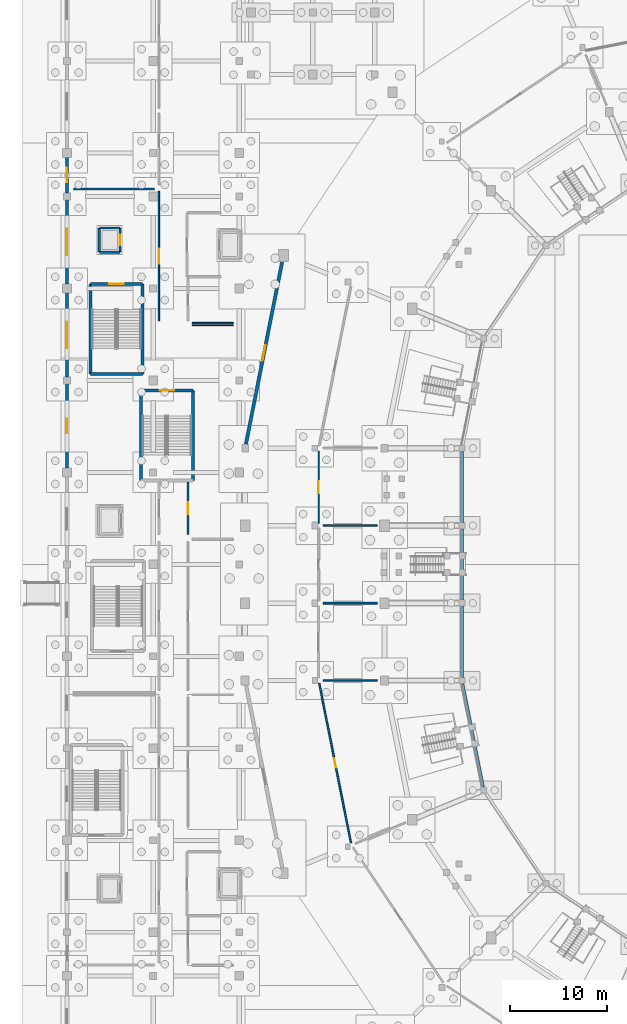
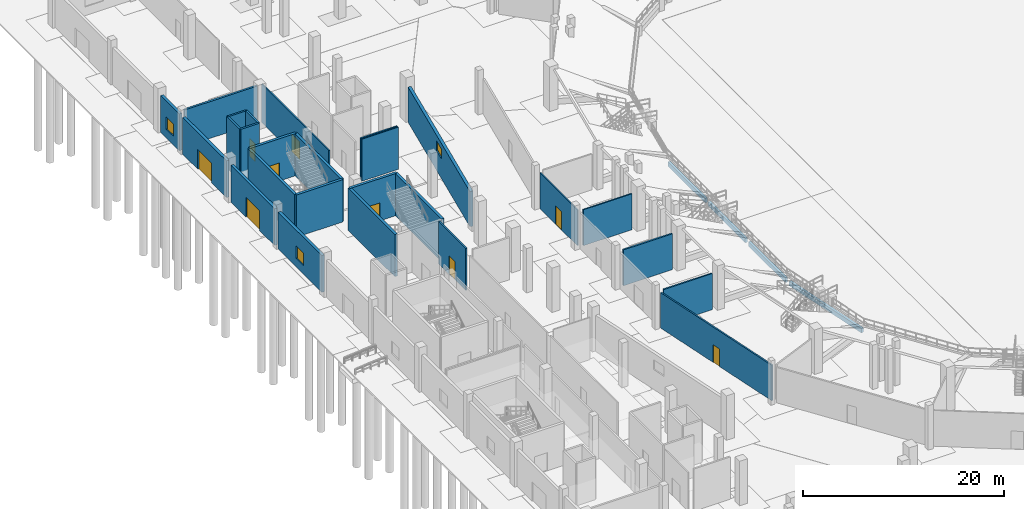
# One storey, part 29 of 68: 30 walls, 9 doors, 3 windows, 12 openings.
"""IFC4 building model written with IfcOpenShell, lengths in metres."""

from ifc_helpers import new_model, si_unit, direction, frame, frame_2d, origin, place, context, subcontext, project, spatial, rectangle, extrude, material, layer, layer_set, type_object, element, fill, save


model = new_model("IFC4")

# Units and contexts
model_context = context("Model", 3, precision=1e-05, world=origin(), true_north=direction((0.0, 1.0)))
body_context = subcontext(model_context, "Body", "Model", "MODEL_VIEW")
ifc_project = project(units=[si_unit("LENGTHUNIT", "METRE"), si_unit("AREAUNIT", "SQUARE_METRE"), si_unit("VOLUMEUNIT", "CUBIC_METRE"), si_unit("PLANEANGLEUNIT", "RADIAN"), si_unit("MASSUNIT", "GRAM", prefix="KILO")], contexts=[model_context])

# Site, building, storey
site_placement = place(None, origin())
site = spatial("IfcSite", under=ifc_project, at=site_placement, CompositionType="ELEMENT")
building_placement = place(site_placement, origin())
building = spatial("IfcBuilding", under=site, at=building_placement, Name="Candeia Ridge Stadium", CompositionType="ELEMENT")
storey_placement = place(building_placement, origin())
storey = spatial("IfcBuildingStorey", under=building, at=storey_placement, Name="L00", CompositionType="ELEMENT", Elevation=0.0)

# Wall, opening, door
ifc_material_1 = material(Name="Gypsum Metal-Stud Partition", Category="gypsum")
ifc_layer_1 = layer(ifc_material_1, 0.14501953125, Name="Gypsum Metal-Stud Partition", Category="gypsum")
ifc_layer_set_1 = layer_set([ifc_layer_1], Name="Gypsum Metal-Stud Partition")
wall_type_1 = type_object("IfcWallType", Name="Athlete Recovery Partition 145", PredefinedType="PARTITIONING", material=ifc_layer_set_1)
wall_1_placement = place(storey_placement, frame((10.10009765625, 121.531982421875, 0.0), z_axis=(0.0, 0.0, 1.0), x_axis=(0.0, -1.0, 0.0)))
wall_1 = element("IfcWall", 1, at=wall_1_placement, inside=storey, type_object=wall_type_1, Name="Interior partition PT-L00-0016", PredefinedType="PARTITIONING", context=body_context, shape_type="SweptSolid", body=[
    extrude(rectangle(XDim=13.365966796875, YDim=0.14501953125, at=frame_2d((6.68310546875, 0.0))), origin(), (0.0, 0.0, 1.0), 4.66796875),
])
opening_1_placement = place(wall_1_placement, frame((5.907958984375, 0.0, 0.0)))
opening_1 = element("IfcOpeningElement", 2, at=opening_1_placement, cuts=wall_1, Name="Opening ID14", PredefinedType="OPENING", context=body_context, shape_type="SweptSolid", body=[
    extrude(rectangle(XDim=1.550048828125, YDim=2.14990234375, at=frame_2d((0.77490234375, 1.074951171875))), frame((0.0, 0.08251953125, 0.0), z_axis=(0.0, -1.0, 0.0), x_axis=(1.0, 0.0, 0.0)), (0.0, 0.0, 1.0), 0.1650390625),
])
ifc_material_2 = material(Name="Brushed Stainless Steel", Category="steel")
door_type_1 = type_object("IfcDoorType", Name="Catering Kitchen Double Door 1550x2150", OperationType="NOTDEFINED", PredefinedType="DOOR", material=ifc_material_2)
door_1_placement = place(opening_1_placement, origin())
door_1 = element("IfcDoor", 3, at=door_1_placement, inside=storey, type_object=door_type_1, Name="Interior room door D-L00-0009", OperationType="DOUBLE_DOOR_SINGLE_SWING", OverallHeight=2.14990234375, OverallWidth=1.550048828125, PredefinedType="DOOR", context=body_context, shape_type="SweptSolid", body=[
    extrude(rectangle(XDim=1.550048828125, YDim=2.14990234375, at=frame_2d((0.77490234375, 1.074951171875))), frame((0.0, 0.02490234375, 0.0), z_axis=(0.0, -1.0, 0.0), x_axis=(1.0, 0.0, 0.0)), (0.0, 0.0, 1.0), 0.050048828125),
])
fill(opening_1, door_1)

# Walls
wall_2_placement = place(storey_placement, frame((32.64990234375, 87.0, 0.0), z_axis=(0.0, 0.0, 1.0), x_axis=(-1.0, 0.0, 0.0)))
element("IfcWall", 4, at=wall_2_placement, inside=storey, type_object=wall_type_1, Name="Demising partition PT-L00-0133", PredefinedType="PARTITIONING", context=body_context, shape_type="SweptSolid", body=[
    extrude(rectangle(XDim=5.599853515625, YDim=0.14501953125, at=frame_2d((2.7998046875, 0.0))), origin(), (0.0, 0.0, 1.0), 4.375),
])
ifc_material_3 = material(Name="Gypsum Acoustic Twin-Stud Assembly", Category="gypsum")
ifc_layer_2 = layer(ifc_material_3, 0.159912109375, Name="Gypsum Acoustic Twin-Stud Assembly", Category="gypsum")
ifc_layer_set_2 = layer_set([ifc_layer_2], Name="Gypsum Acoustic Twin-Stud Assembly")
wall_type_2 = type_object("IfcWallType", Name="Club Dining Acoustic Partition 160", PredefinedType="PARTITIONING", material=ifc_layer_set_2)
wall_3_placement = place(storey_placement, frame((17.75, 107.916015625, 0.0), z_axis=(0.0, 0.0, 1.0), x_axis=(-1.0, 0.0, 0.0)))
element("IfcWall", 5, at=wall_3_placement, inside=storey, type_object=wall_type_2, Name="Demising partition PT-L00-0019", PredefinedType="PARTITIONING", context=body_context, shape_type="SweptSolid", body=[
    extrude(rectangle(XDim=4.199951171875, YDim=0.159912109375, at=frame_2d((2.10009765625, 0.0))), origin(), (0.0, 0.0, 1.0), 5.1201171875),
])
ifc_material_4 = material(Name="Concrete C45/55", Category="concrete")
ifc_layer_3 = layer(ifc_material_4, 0.300048828125, Name="Concrete C45/55", Category="concrete")
ifc_layer_set_3 = layer_set([ifc_layer_3], Name="Concrete C45/55")
wall_type_3 = type_object("IfcWallType", Name="Core Shear Wall Concrete 300", PredefinedType="SHEAR", material=ifc_layer_set_3)
wall_4_placement = place(storey_placement, frame((3.05029296875, 111.94970703125, 0.0), z_axis=(0.0, 0.0, 1.0), x_axis=(0.0, -1.0, 0.0)))
element("IfcWall", 6, at=wall_4_placement, inside=storey, type_object=wall_type_3, Name="Core C06 left shear wall L00", PredefinedType="SHEAR", context=body_context, shape_type="SweptSolid", body=[
    extrude(rectangle(XDim=9.29931640625, YDim=0.300048828125, at=frame_2d((4.649658203125, 0.0))), origin(), (0.0, 0.0, 1.0), 5.139892578125),
])
wall_5_placement = place(storey_placement, frame((3.05029296875, 102.650390625, 0.0), z_axis=(0.0, 0.0, 1.0), x_axis=(1.0, 0.0, 0.0)))
element("IfcWall", 7, at=wall_5_placement, inside=storey, type_object=wall_type_3, Name="Core C06 far shear wall L00", PredefinedType="SHEAR", context=body_context, shape_type="SweptSolid", body=[
    extrude(rectangle(XDim=5.349365234375, YDim=0.300048828125, at=frame_2d((2.6748046875, 0.0))), origin(), (0.0, 0.0, 1.0), 5.139892578125),
])
wall_6_placement = place(storey_placement, frame((8.399658203125, 102.650390625, 0.0), z_axis=(0.0, 0.0, 1.0), x_axis=(0.0, 1.0, 0.0)))
element("IfcWall", 8, at=wall_6_placement, inside=storey, type_object=wall_type_3, Name="Core C06 right shear wall L00", PredefinedType="SHEAR", context=body_context, shape_type="SweptSolid", body=[
    extrude(rectangle(XDim=9.29931640625, YDim=0.300048828125, at=frame_2d((4.649658203125, 0.0))), origin(), (0.0, 0.0, 1.0), 5.139892578125),
])

# Wall, opening, door
wall_7_placement = place(storey_placement, frame((8.399658203125, 111.94970703125, 0.0), z_axis=(0.0, 0.0, 1.0), x_axis=(-1.0, 0.0, 0.0)))
wall_7 = element("IfcWall", 9, at=wall_7_placement, inside=storey, type_object=wall_type_3, Name="Core C06 near shear wall L00", PredefinedType="SHEAR", context=body_context, shape_type="SweptSolid", body=[
    extrude(rectangle(XDim=5.349365234375, YDim=0.300048828125, at=frame_2d((2.6748046875, 0.0))), origin(), (0.0, 0.0, 1.0), 5.139892578125),
])
opening_2_placement = place(wall_7_placement, frame((1.924560546875, 0.0, 0.0)))
opening_2 = element("IfcOpeningElement", 10, at=opening_2_placement, cuts=wall_7, Name="Opening FD01", PredefinedType="OPENING", context=body_context, shape_type="SweptSolid", body=[
    extrude(rectangle(XDim=1.5, YDim=2.199951171875, at=frame_2d((0.75, 1.10009765625))), frame((0.0, 0.159912109375, 0.0), z_axis=(0.0, -1.0, 0.0), x_axis=(1.0, 0.0, 0.0)), (0.0, 0.0, 1.0), 0.320068359375),
])
ifc_material_5 = material(Name="Galvanized Fire-Rated Steel", Category="steel")
door_type_2 = type_object("IfcDoorType", Name="Exit Stair Core Fire Door 1500x2200", OperationType="NOTDEFINED", PredefinedType="DOOR", material=ifc_material_5)
door_2_placement = place(opening_2_placement, frame((1.5, 0.0, 0.0), z_axis=(0.0, 0.0, 1.0), x_axis=(-1.0, 0.0, 0.0)))
door_2 = element("IfcDoor", 11, at=door_2_placement, inside=storey, type_object=door_type_2, Name="Exit stair fire door SD-ST06-L00", OperationType="DOUBLE_DOOR_SINGLE_SWING", OverallHeight=2.199951171875, OverallWidth=1.5, PredefinedType="DOOR", context=body_context, shape_type="SweptSolid", body=[
    extrude(rectangle(XDim=1.5, YDim=2.199951171875, at=frame_2d((0.75, 1.10009765625))), frame((0.0, 0.02490234375, 0.0), z_axis=(0.0, -1.0, 0.0), x_axis=(1.0, 0.0, 0.0)), (0.0, 0.0, 1.0), 0.050048828125),
])
fill(opening_2, door_2)

# Walls
for number, where, z_axis, x_axis, name in (
    (12, (8.25048828125, 100.94970703125, 0.0), (0.0, 0.0, 1.0), (0.0, -1.0, 0.0), "Core C08 left shear wall L00"),
    (13, (13.599609375, 91.650390625, 0.0), (0.0, 0.0, 1.0), (0.0, 1.0, 0.0), "Core C08 right shear wall L00"),
):
    element("IfcWall", number, at=place(storey_placement, frame(where, z_axis=z_axis, x_axis=x_axis)), inside=storey, type_object=wall_type_3, Name=name, PredefinedType="SHEAR", context=body_context, shape_type="SweptSolid", body=[
        extrude(rectangle(XDim=9.29931640625, YDim=0.300048828125, at=frame_2d((4.649658203125, 0.0))), origin(), (0.0, 0.0, 1.0), 5.139892578125),
    ])

# Wall, opening, door
wall_8_placement = place(storey_placement, frame((13.599609375, 100.94970703125, 0.0), z_axis=(0.0, 0.0, 1.0), x_axis=(-1.0, 0.0, 0.0)))
wall_8 = element("IfcWall", 14, at=wall_8_placement, inside=storey, type_object=wall_type_3, Name="Core C08 near shear wall L00", PredefinedType="SHEAR", context=body_context, shape_type="SweptSolid", body=[
    extrude(rectangle(XDim=5.34912109375, YDim=0.300048828125, at=frame_2d((2.674560546875, 0.0))), origin(), (0.0, 0.0, 1.0), 5.139892578125),
])
opening_3_placement = place(wall_8_placement, frame((1.924560546875, 0.0, 0.0)))
opening_3 = element("IfcOpeningElement", 15, at=opening_3_placement, cuts=wall_8, Name="Opening FD01", PredefinedType="OPENING", context=body_context, shape_type="SweptSolid", body=[
    extrude(rectangle(XDim=1.5, YDim=2.199951171875, at=frame_2d((0.75, 1.10009765625))), frame((0.0, 0.159912109375, 0.0), z_axis=(0.0, -1.0, 0.0), x_axis=(1.0, 0.0, 0.0)), (0.0, 0.0, 1.0), 0.320068359375),
])
door_3_placement = place(opening_3_placement, frame((1.5, 0.0, 0.0), z_axis=(0.0, 0.0, 1.0), x_axis=(-1.0, 0.0, 0.0)))
door_3 = element("IfcDoor", 16, at=door_3_placement, inside=storey, type_object=door_type_2, Name="Exit stair fire door SD-ST08-L00", OperationType="DOUBLE_DOOR_SINGLE_SWING", OverallHeight=2.199951171875, OverallWidth=1.5, PredefinedType="DOOR", context=body_context, shape_type="SweptSolid", body=[
    extrude(rectangle(XDim=1.5, YDim=2.199951171875, at=frame_2d((0.75, 1.10009765625))), frame((0.0, 0.02490234375, 0.0), z_axis=(0.0, -1.0, 0.0), x_axis=(1.0, 0.0, 0.0)), (0.0, 0.0, 1.0), 0.050048828125),
])
fill(opening_3, door_3)

# Wall
ifc_material_6 = material(Name="Moisture-Resistant Masonry & Tile", Category="masonry")
ifc_layer_4 = layer(ifc_material_6, 0.22998046875, Name="Moisture-Resistant Masonry & Tile", Category="masonry")
ifc_layer_set_4 = layer_set([ifc_layer_4], Name="Moisture-Resistant Masonry & Tile")
wall_type_4 = type_object("IfcWallType", Name="Dressing Suite Wet-Wall Chase 230", PredefinedType="PLUMBINGWALL", material=ifc_layer_set_4)
wall_9_placement = place(storey_placement, frame((1.25, 121.781982421875, 0.0), z_axis=(0.0, 0.0, 1.0), x_axis=(1.0, 0.0, 0.0)))
element("IfcWall", 17, at=wall_9_placement, inside=storey, type_object=wall_type_4, Name="Demising partition PT-L00-0017", PredefinedType="PLUMBINGWALL", context=body_context, shape_type="SweptSolid", body=[
    extrude(rectangle(XDim=8.39990234375, YDim=0.22998046875, at=frame_2d((4.199951171875, 0.0))), origin(), (0.0, 0.0, 1.0), 4.47509765625),
])

# Wall, opening, window
ifc_material_7 = material(Name="Concrete C40/50", Category="concrete")
ifc_layer_5 = layer(ifc_material_7, 0.340087890625, Name="Concrete C40/50", Category="concrete")
ifc_layer_set_5 = layer_set([ifc_layer_5], Name="Concrete C40/50")
wall_type_5 = type_object("IfcWallType", Name="Exterior Acoustic Bowl Plinth Wall 340", PredefinedType="SOLIDWALL", material=ifc_layer_set_5)
wall_10_placement = place(storey_placement, frame((22.826904296875, 114.238525390625, 0.0), z_axis=(0.0, 0.0, 1.0), x_axis=(-0.19509817024, -0.980783719262, 0.0)))
wall_10 = element("IfcWall", 18, at=wall_10_placement, inside=storey, type_object=wall_type_5, Name="Bowl plinth exterior wall EW-L00-0002", PredefinedType="SOLIDWALL", context=body_context, shape_type="SweptSolid", body=[
    extrude(rectangle(XDim=19.1884765625, YDim=0.340087890625, at=frame_2d((9.59423828125, 0.0))), origin(), (0.0, 0.0, 1.0), 4.27490234375),
])
opening_4_placement = place(wall_10_placement, frame((8.794189453125, 0.0, 2.39990234375)))
opening_4 = element("IfcOpeningElement", 19, at=opening_4_placement, cuts=wall_10, Name="Opening W15", PredefinedType="OPENING", context=body_context, shape_type="SweptSolid", body=[
    extrude(rectangle(XDim=1.60009765625, YDim=1.199951171875, at=frame_2d((0.800048828125, 0.60009765625))), frame((0.0, 0.179931640625, 0.0), z_axis=(0.0, -1.0, 0.0), x_axis=(1.0, 0.0, 0.0)), (0.0, 0.0, 1.0), 0.360107421875),
])
ifc_material_8 = material(Name="Tempered Solar-Control Double Glazing", Category="glass")
window_type_1 = type_object("IfcWindowType", Name="Plant Acoustic Louvre Window 1600x1200", PartitioningType="SINGLE_PANEL", PredefinedType="WINDOW", material=ifc_material_8)
window_1_placement = place(opening_4_placement, origin())
window_1 = element("IfcWindow", 20, at=window_1_placement, inside=storey, type_object=window_type_1, Name="Bowl plinth louvre window WIN-BWL-002", OverallHeight=1.199951171875, OverallWidth=1.60009765625, PartitioningType="SINGLE_PANEL", PredefinedType="WINDOW", context=body_context, shape_type="SweptSolid", body=[
    extrude(rectangle(XDim=1.60009765625, YDim=1.199951171875, at=frame_2d((0.800048828125, 0.60009765625))), frame((0.0, 0.030029296875, 0.0), z_axis=(0.0, -1.0, 0.0), x_axis=(1.0, 0.0, 0.0)), (0.0, 0.0, 1.0), 0.06005859375),
])
fill(opening_4, window_1)

ifc_material_9 = material(Name="Concrete C35/45", Category="concrete")
ifc_layer_6 = layer(ifc_material_9, 0.320068359375, Name="Concrete C35/45", Category="concrete")
ifc_layer_set_6 = layer_set([ifc_layer_6], Name="Concrete C35/45")
wall_type_6 = type_object("IfcWallType", Name="Exterior Cedar-Clad Insulated Wall 320", PredefinedType="SOLIDWALL", material=ifc_layer_set_6)
wall_11_placement = place(storey_placement, frame((0.60009765625, 92.93798828125, 0.0), z_axis=(0.0, 0.0, 1.0), x_axis=(0.0, 1.0, 0.0)))
wall_11 = element("IfcWall", 21, at=wall_11_placement, inside=storey, type_object=wall_type_6, Name="Exterior facade wall EW-L00-0053", PredefinedType="SOLIDWALL", context=body_context, shape_type="SweptSolid", body=[
    extrude(rectangle(XDim=8.72412109375, YDim=0.320068359375, at=frame_2d((4.362060546875, 0.0))), origin(), (0.0, 0.0, 1.0), 4.47509765625),
])
opening_5_placement = place(wall_11_placement, frame((3.612060546875, 0.0, 1.050048828125)))
opening_5 = element("IfcOpeningElement", 22, at=opening_5_placement, cuts=wall_11, Name="Opening W14", PredefinedType="OPENING", context=body_context, shape_type="SweptSolid", body=[
    extrude(rectangle(XDim=1.5, YDim=1.5, at=frame_2d((0.75, 0.75))), frame((0.0, 0.169921875, 0.0), z_axis=(0.0, -1.0, 0.0), x_axis=(1.0, 0.0, 0.0)), (0.0, 0.0, 1.0), 0.340087890625),
])
window_type_2 = type_object("IfcWindowType", Name="Medical & Admin Window 1500x1500", PartitioningType="SINGLE_PANEL", PredefinedType="WINDOW", material=ifc_material_8)
window_2_placement = place(opening_5_placement, origin())
window_2 = element("IfcWindow", 23, at=window_2_placement, inside=storey, type_object=window_type_2, Name="Exterior window WIN-L00-013", OverallHeight=1.5, OverallWidth=1.5, PartitioningType="SINGLE_PANEL", PredefinedType="WINDOW", context=body_context, shape_type="SweptSolid", body=[
    extrude(rectangle(XDim=1.5, YDim=1.5, at=frame_2d((0.75, 0.75))), frame((0.0, 0.030029296875, 0.0), z_axis=(0.0, -1.0, 0.0), x_axis=(1.0, 0.0, 0.0)), (0.0, 0.0, 1.0), 0.06005859375),
])
fill(opening_5, window_2)

# Wall, opening, door
wall_12_placement = place(storey_placement, frame((0.60009765625, 102.337890625, 0.0), z_axis=(0.0, 0.0, 1.0), x_axis=(0.0, 1.0, 0.0)))
wall_12 = element("IfcWall", 24, at=wall_12_placement, inside=storey, type_object=wall_type_6, Name="Exterior facade wall EW-L00-0054", PredefinedType="SOLIDWALL", context=body_context, shape_type="SweptSolid", body=[
    extrude(rectangle(XDim=8.72412109375, YDim=0.320068359375, at=frame_2d((4.362060546875, 0.0))), origin(), (0.0, 0.0, 1.0), 4.47509765625),
])
opening_6_placement = place(wall_12_placement, frame((2.987060546875, 0.0, 0.0)))
opening_6 = element("IfcOpeningElement", 25, at=opening_6_placement, cuts=wall_12, Name="Opening ED01", PredefinedType="OPENING", context=body_context, shape_type="SweptSolid", body=[
    extrude(rectangle(XDim=2.75, YDim=2.39990234375, at=frame_2d((1.375, 1.199951171875))), frame((0.0, 0.169921875, 0.0), z_axis=(0.0, -1.0, 0.0), x_axis=(1.0, 0.0, 0.0)), (0.0, 0.0, 1.0), 0.340087890625),
])
ifc_material_10 = material(Name="Aluminium Anodized Glazed Door", Category="aluminium")
door_type_3 = type_object("IfcDoorType", Name="Pedestrian Exit Double Door 2750x2400", OperationType="NOTDEFINED", PredefinedType="DOOR", material=ifc_material_10)
door_4_placement = place(opening_6_placement, origin())
door_4 = element("IfcDoor", 26, at=door_4_placement, inside=storey, type_object=door_type_3, Name="Pedestrian exit gate G05", OperationType="DOUBLE_DOOR_SINGLE_SWING", OverallHeight=2.39990234375, OverallWidth=2.75, PredefinedType="DOOR", context=body_context, shape_type="SweptSolid", body=[
    extrude(rectangle(XDim=2.75, YDim=2.39990234375, at=frame_2d((1.375, 1.199951171875))), frame((0.0, 0.02490234375, 0.0), z_axis=(0.0, -1.0, 0.0), x_axis=(1.0, 0.0, 0.0)), (0.0, 0.0, 1.0), 0.050048828125),
])
fill(opening_6, door_4)

wall_13_placement = place(storey_placement, frame((0.60009765625, 111.93798828125, 0.0), z_axis=(0.0, 0.0, 1.0), x_axis=(0.0, 1.0, 0.0)))
wall_13 = element("IfcWall", 27, at=wall_13_placement, inside=storey, type_object=wall_type_6, Name="Exterior facade wall EW-L00-0055", PredefinedType="SOLIDWALL", context=body_context, shape_type="SweptSolid", body=[
    extrude(rectangle(XDim=8.72412109375, YDim=0.320068359375, at=frame_2d((4.362060546875, 0.0))), origin(), (0.0, 0.0, 1.0), 4.47509765625),
])
opening_7_placement = place(wall_13_placement, frame((2.987060546875, 0.0, 0.0)))
opening_7 = element("IfcOpeningElement", 28, at=opening_7_placement, cuts=wall_13, Name="Opening ED01", PredefinedType="OPENING", context=body_context, shape_type="SweptSolid", body=[
    extrude(rectangle(XDim=2.75, YDim=2.39990234375, at=frame_2d((1.375, 1.199951171875))), frame((0.0, 0.169921875, 0.0), z_axis=(0.0, -1.0, 0.0), x_axis=(1.0, 0.0, 0.0)), (0.0, 0.0, 1.0), 0.340087890625),
])
door_5_placement = place(opening_7_placement, origin())
door_5 = element("IfcDoor", 29, at=door_5_placement, inside=storey, type_object=door_type_3, Name="Pedestrian exit gate G06", OperationType="DOUBLE_DOOR_SINGLE_SWING", OverallHeight=2.39990234375, OverallWidth=2.75, PredefinedType="DOOR", context=body_context, shape_type="SweptSolid", body=[
    extrude(rectangle(XDim=2.75, YDim=2.39990234375, at=frame_2d((1.375, 1.199951171875))), frame((0.0, 0.02490234375, 0.0), z_axis=(0.0, -1.0, 0.0), x_axis=(1.0, 0.0, 0.0)), (0.0, 0.0, 1.0), 0.050048828125),
])
fill(opening_7, door_5)

# Wall, opening, window
wall_14_placement = place(storey_placement, frame((0.60009765625, 121.337890625, 0.0), z_axis=(0.0, 0.0, 1.0), x_axis=(0.0, 1.0, 0.0)))
wall_14 = element("IfcWall", 30, at=wall_14_placement, inside=storey, type_object=wall_type_6, Name="Exterior facade wall EW-L00-0056", PredefinedType="SOLIDWALL", context=body_context, shape_type="SweptSolid", body=[
    extrude(rectangle(XDim=3.72412109375, YDim=0.320068359375, at=frame_2d((1.862060546875, 0.0))), origin(), (0.0, 0.0, 1.0), 4.47509765625),
])
opening_8_placement = place(wall_14_placement, frame((1.112060546875, 0.0, 1.050048828125)))
opening_8 = element("IfcOpeningElement", 31, at=opening_8_placement, cuts=wall_14, Name="Opening W14", PredefinedType="OPENING", context=body_context, shape_type="SweptSolid", body=[
    extrude(rectangle(XDim=1.5, YDim=1.5, at=frame_2d((0.75, 0.75))), frame((0.0, 0.169921875, 0.0), z_axis=(0.0, -1.0, 0.0), x_axis=(1.0, 0.0, 0.0)), (0.0, 0.0, 1.0), 0.340087890625),
])
window_3_placement = place(opening_8_placement, origin())
window_3 = element("IfcWindow", 32, at=window_3_placement, inside=storey, type_object=window_type_2, Name="Exterior window WIN-L00-014", OverallHeight=1.5, OverallWidth=1.5, PartitioningType="SINGLE_PANEL", PredefinedType="WINDOW", context=body_context, shape_type="SweptSolid", body=[
    extrude(rectangle(XDim=1.5, YDim=1.5, at=frame_2d((0.75, 0.75))), frame((0.0, 0.030029296875, 0.0), z_axis=(0.0, -1.0, 0.0), x_axis=(1.0, 0.0, 0.0)), (0.0, 0.0, 1.0), 0.06005859375),
])
fill(opening_8, window_3)

# Walls
ifc_layer_7 = layer(ifc_material_3, 0.1650390625, Name="Gypsum Acoustic Twin-Stud Assembly", Category="gypsum")
ifc_layer_set_7 = layer_set([ifc_layer_7], Name="Gypsum Acoustic Twin-Stud Assembly")
wall_type_7 = type_object("IfcWallType", Name="Hospitality Suite Acoustic Wall 165", PredefinedType="PARTITIONING", material=ifc_layer_set_7)
wall_15_placement = place(storey_placement, frame((32.64990234375, 71.0, 0.0), z_axis=(0.0, 0.0, 1.0), x_axis=(-1.0, 0.0, 0.0)))
element("IfcWall", 33, at=wall_15_placement, inside=storey, type_object=wall_type_7, Name="Demising partition PT-L00-0137", PredefinedType="PARTITIONING", context=body_context, shape_type="SweptSolid", body=[
    extrude(rectangle(XDim=5.599853515625, YDim=0.1650390625, at=frame_2d((2.7998046875, 0.0))), origin(), (0.0, 0.0, 1.0), 4.385009765625),
])
ifc_layer_8 = layer(ifc_material_7, 0.219970703125, Name="Concrete C40/50", Category="concrete")
ifc_layer_set_8 = layer_set([ifc_layer_8], Name="Concrete C40/50")
wall_type_8 = type_object("IfcWallType", Name="Lift & Riser Shaft Wall 220", PredefinedType="SHEAR", material=ifc_layer_set_8)
wall_16_placement = place(storey_placement, frame((3.93994140625, 115.239990234375, -1.10009765625), z_axis=(0.0, 0.0, 1.0), x_axis=(1.0, 0.0, 0.0)))
element("IfcWall", 34, at=wall_16_placement, inside=storey, type_object=wall_type_8, Name="Lift VL2 shaft wall L00 south", PredefinedType="SHEAR", context=body_context, shape_type="SweptSolid", body=[
    extrude(rectangle(XDim=2.1201171875, YDim=0.219970703125, at=frame_2d((1.06005859375, 0.0))), origin(), (0.0, 0.0, 1.0), 6.239990234375),
])

# Wall, opening, door
wall_17_placement = place(storey_placement, frame((6.06005859375, 115.239990234375, -1.10009765625), z_axis=(0.0, 0.0, 1.0), x_axis=(0.0, 1.0, 0.0)))
wall_17 = element("IfcWall", 35, at=wall_17_placement, inside=storey, type_object=wall_type_8, Name="Lift VL2 shaft wall L00 east", PredefinedType="SHEAR", context=body_context, shape_type="SweptSolid", body=[
    extrude(rectangle(XDim=2.52001953125, YDim=0.219970703125, at=frame_2d((1.260009765625, 0.0))), origin(), (0.0, 0.0, 1.0), 6.239990234375),
])
opening_9_placement = place(wall_17_placement, frame((0.735107421875, 0.0, 1.10009765625)))
opening_9 = element("IfcOpeningElement", 36, at=opening_9_placement, cuts=wall_17, Name="Opening LD02", PredefinedType="OPENING", context=body_context, shape_type="SweptSolid", body=[
    extrude(rectangle(XDim=1.050048828125, YDim=2.14990234375, at=frame_2d((0.52490234375, 1.074951171875))), frame((0.0, 0.119873046875, 0.0), z_axis=(0.0, -1.0, 0.0), x_axis=(1.0, 0.0, 0.0)), (0.0, 0.0, 1.0), 0.239990234375),
])
door_type_4 = type_object("IfcDoorType", Name="Passenger Lift Landing Door 1050x2150", OperationType="NOTDEFINED", PredefinedType="DOOR", material=ifc_material_2)
door_6_placement = place(opening_9_placement, origin())
door_6 = element("IfcDoor", 37, at=door_6_placement, inside=storey, type_object=door_type_4, Name="Lift landing sliding door LD-VL2-L00", OperationType="DOUBLE_DOOR_SLIDING", OverallHeight=2.14990234375, OverallWidth=1.050048828125, PredefinedType="DOOR", context=body_context, shape_type="SweptSolid", body=[
    extrude(rectangle(XDim=1.050048828125, YDim=2.14990234375, at=frame_2d((0.52490234375, 1.074951171875))), frame((0.0, 0.02490234375, 0.0), z_axis=(0.0, -1.0, 0.0), x_axis=(1.0, 0.0, 0.0)), (0.0, 0.0, 1.0), 0.050048828125),
])
fill(opening_9, door_6)

# Walls
wall_18_placement = place(storey_placement, frame((6.06005859375, 117.760009765625, -1.10009765625), z_axis=(0.0, 0.0, 1.0), x_axis=(-1.0, 0.0, 0.0)))
element("IfcWall", 38, at=wall_18_placement, inside=storey, type_object=wall_type_8, Name="Lift VL2 shaft wall L00 north", PredefinedType="SHEAR", context=body_context, shape_type="SweptSolid", body=[
    extrude(rectangle(XDim=2.1201171875, YDim=0.219970703125, at=frame_2d((1.06005859375, 0.0))), origin(), (0.0, 0.0, 1.0), 6.239990234375),
])
wall_19_placement = place(storey_placement, frame((3.93994140625, 117.760009765625, -1.10009765625), z_axis=(0.0, 0.0, 1.0), x_axis=(0.0, -1.0, 0.0)))
element("IfcWall", 39, at=wall_19_placement, inside=storey, type_object=wall_type_8, Name="Lift VL2 shaft wall L00 west", PredefinedType="SHEAR", context=body_context, shape_type="SweptSolid", body=[
    extrude(rectangle(XDim=2.52001953125, YDim=0.219970703125, at=frame_2d((1.260009765625, 0.0))), origin(), (0.0, 0.0, 1.0), 6.239990234375),
])
ifc_material_11 = material(Name="Gypsum Acoustic Triple-Board Wall", Category="gypsum")
ifc_layer_9 = layer(ifc_material_11, 0.18505859375, Name="Gypsum Acoustic Triple-Board Wall", Category="gypsum")
ifc_layer_set_9 = layer_set([ifc_layer_9], Name="Gypsum Acoustic Triple-Board Wall")
wall_type_9 = type_object("IfcWallType", Name="Media Booth Studio Divider 185", PredefinedType="PARTITIONING", material=ifc_layer_set_9)
wall_20_placement = place(storey_placement, frame((32.64990234375, 79.0, 0.0), z_axis=(0.0, 0.0, 1.0), x_axis=(-1.0, 0.0, 0.0)))
element("IfcWall", 40, at=wall_20_placement, inside=storey, type_object=wall_type_9, Name="Demising partition PT-L00-0135", PredefinedType="PARTITIONING", context=body_context, shape_type="SweptSolid", body=[
    extrude(rectangle(XDim=5.599853515625, YDim=0.18505859375, at=frame_2d((2.7998046875, 0.0))), origin(), (0.0, 0.0, 1.0), 4.364990234375),
])

# Wall, opening, door
ifc_layer_10 = layer(ifc_material_3, 0.175048828125, Name="Gypsum Acoustic Twin-Stud Assembly", Category="gypsum")
ifc_layer_set_10 = layer_set([ifc_layer_10], Name="Gypsum Acoustic Twin-Stud Assembly")
wall_type_10 = type_object("IfcWallType", Name="Museum Acoustic Gallery Wall 175", PredefinedType="PARTITIONING", material=ifc_layer_set_10)
wall_21_placement = place(storey_placement, frame((13.10009765625, 86.06201171875, 0.0), z_axis=(0.0, 0.0, 1.0), x_axis=(0.0, 1.0, 0.0)))
wall_21 = element("IfcWall", 41, at=wall_21_placement, inside=storey, type_object=wall_type_10, Name="Interior partition PT-L00-0014", PredefinedType="PARTITIONING", context=body_context, shape_type="SweptSolid", body=[
    extrude(rectangle(XDim=5.447998046875, YDim=0.175048828125, at=frame_2d((2.72412109375, 0.0))), origin(), (0.0, 0.0, 1.0), 5.1201171875),
])
opening_10_placement = place(wall_21_placement, frame((2.09912109375, 0.0, 0.0)))
opening_10 = element("IfcOpeningElement", 42, at=opening_10_placement, cuts=wall_21, Name="Opening ID11", PredefinedType="OPENING", context=body_context, shape_type="SweptSolid", body=[
    extrude(rectangle(XDim=1.25, YDim=2.199951171875, at=frame_2d((0.625, 1.10009765625))), frame((0.0, 0.097412109375, 0.0), z_axis=(0.0, -1.0, 0.0), x_axis=(1.0, 0.0, 0.0)), (0.0, 0.0, 1.0), 0.195068359375),
])
ifc_material_12 = material(Name="Acoustic Timber Studio Leaf", Category="wood")
door_type_5 = type_object("IfcDoorType", Name="Press Tribune Acoustic Door 1250x2200", OperationType="NOTDEFINED", PredefinedType="DOOR", material=ifc_material_12)
door_7_placement = place(opening_10_placement, origin())
door_7 = element("IfcDoor", 43, at=door_7_placement, inside=storey, type_object=door_type_5, Name="Interior room door D-L00-0008", OperationType="SINGLE_SWING_RIGHT", OverallHeight=2.199951171875, OverallWidth=1.25, PredefinedType="DOOR", context=body_context, shape_type="SweptSolid", body=[
    extrude(rectangle(XDim=1.25, YDim=2.199951171875, at=frame_2d((0.625, 1.10009765625))), frame((0.0, 0.02490234375, 0.0), z_axis=(0.0, -1.0, 0.0), x_axis=(1.0, 0.0, 0.0)), (0.0, 0.0, 1.0), 0.050048828125),
])
fill(opening_10, door_7)

# Walls
ifc_layer_11 = layer(ifc_material_4, 0.264892578125, Name="Concrete C45/55", Category="concrete")
ifc_layer_set_11 = layer_set([ifc_layer_11], Name="Concrete C45/55")
wall_type_11 = type_object("IfcWallType", Name="Pitch-Side Moat Retaining Wall 265", PredefinedType="SOLIDWALL", material=ifc_layer_set_11)
for number, where, z_axis, x_axis, name in (
    (44, (41.39990234375, 94.679931640625, 0.0), (0.0, 0.0, 1.0), (0.0, -1.0, 0.0), "Pitch-side moat wall EW-L00-0020"),
    (45, (41.39990234375, 86.679931640625, 0.0), (0.0, 0.0, 1.0), (0.0, -1.0, 0.0), "Pitch-side moat wall EW-L00-0021"),
    (46, (41.39990234375, 78.679931640625, 0.0), (0.0, 0.0, 1.0), (0.0, -1.0, 0.0), "Pitch-side moat wall EW-L00-0022"),
):
    element("IfcWall", number, at=place(storey_placement, frame(where, z_axis=z_axis, x_axis=x_axis)), inside=storey, type_object=wall_type_11, Name=name, PredefinedType="SOLIDWALL", context=body_context, shape_type="SweptSolid", body=[
        extrude(rectangle(XDim=7.35986328125, YDim=0.264892578125, at=frame_2d((3.679931640625, 0.0))), origin(), (0.0, 0.0, 1.0), 0.5400390625),
    ])
wall_22_placement = place(storey_placement, frame((41.46240234375, 70.68603515625, 0.0), z_axis=(0.0, 0.0, 1.0), x_axis=(0.195100366358, -0.980783282406, 0.0)))
element("IfcWall", 47, at=wall_22_placement, inside=storey, type_object=wall_type_11, Name="Pitch-side moat wall EW-L00-0023", PredefinedType="SOLIDWALL", context=body_context, shape_type="SweptSolid", body=[
    extrude(rectangle(XDim=10.909423828125, YDim=0.264892578125, at=frame_2d((5.45458984375, 0.0))), origin(), (0.0, 0.0, 1.0), 0.5400390625),
])

# Wall, opening, door
ifc_layer_12 = layer(ifc_material_3, 0.169921875, Name="Gypsum Acoustic Twin-Stud Assembly", Category="gypsum")
ifc_layer_set_12 = layer_set([ifc_layer_12], Name="Gypsum Acoustic Twin-Stud Assembly")
wall_type_12 = type_object("IfcWallType", Name="Skybox Demising Acoustic Wall 170", PredefinedType="PARTITIONING", material=ifc_layer_set_12)
wall_23_placement = place(storey_placement, frame((29.930908203125, 54.254150390625, 0.0), z_axis=(0.0, 0.0, 1.0), x_axis=(-0.195086564225, 0.980786027867, 0.0)))
wall_23 = element("IfcWall", 48, at=wall_23_placement, inside=storey, type_object=wall_type_12, Name="Interior partition PT-L00-0138", PredefinedType="PARTITIONING", context=body_context, shape_type="SweptSolid", body=[
    extrude(rectangle(XDim=16.783203125, YDim=0.169921875, at=frame_2d((8.3916015625, 0.0))), origin(), (0.0, 0.0, 1.0), 4.304931640625),
])
opening_11_placement = place(wall_23_placement, frame((7.91650390625, 0.0, 0.0)))
opening_11 = element("IfcOpeningElement", 49, at=opening_11_placement, cuts=wall_23, Name="Opening ID05", PredefinedType="OPENING", context=body_context, shape_type="SweptSolid", body=[
    extrude(rectangle(XDim=0.949951171875, YDim=2.14990234375, at=frame_2d((0.47509765625, 1.074951171875))), frame((0.0, 0.094970703125, 0.0), z_axis=(0.0, -1.0, 0.0), x_axis=(1.0, 0.0, 0.0)), (0.0, 0.0, 1.0), 0.18994140625),
])
ifc_material_13 = material(Name="Solid Core Cedar Veneer", Category="wood")
door_type_6 = type_object("IfcDoorType", Name="General Room Single Door 950x2150", OperationType="NOTDEFINED", PredefinedType="DOOR", material=ifc_material_13)
door_8_placement = place(opening_11_placement, origin())
door_8 = element("IfcDoor", 50, at=door_8_placement, inside=storey, type_object=door_type_6, Name="Interior room door D-L00-0073", OperationType="SINGLE_SWING_RIGHT", OverallHeight=2.14990234375, OverallWidth=0.949951171875, PredefinedType="DOOR", context=body_context, shape_type="SweptSolid", body=[
    extrude(rectangle(XDim=0.949951171875, YDim=2.14990234375, at=frame_2d((0.47509765625, 1.074951171875))), frame((0.0, 0.02490234375, 0.0), z_axis=(0.0, -1.0, 0.0), x_axis=(1.0, 0.0, 0.0)), (0.0, 0.0, 1.0), 0.050048828125),
])
fill(opening_11, door_8)

# Wall
ifc_layer_13 = layer(ifc_material_1, 0.1201171875, Name="Gypsum Metal-Stud Partition", Category="gypsum")
ifc_layer_set_13 = layer_set([ifc_layer_13], Name="Gypsum Metal-Stud Partition")
wall_type_13 = type_object("IfcWallType", Name="Suite Internal Divider 120", PredefinedType="PARTITIONING", material=ifc_layer_set_13)
wall_24_placement = place(storey_placement, frame((13.550048828125, 107.716064453125, 0.0), z_axis=(0.0, 0.0, 1.0), x_axis=(1.0, 0.0, 0.0)))
element("IfcWall", 51, at=wall_24_placement, inside=storey, type_object=wall_type_13, Name="Demising partition PT-L00-0015", PredefinedType="PARTITIONING", context=body_context, shape_type="SweptSolid", body=[
    extrude(rectangle(XDim=4.199951171875, YDim=0.1201171875, at=frame_2d((2.10009765625, 0.0))), origin(), (0.0, 0.0, 1.0), 5.1201171875),
])

# Wall, opening, door
ifc_layer_14 = layer(ifc_material_1, 0.1298828125, Name="Gypsum Metal-Stud Partition", Category="gypsum")
ifc_layer_set_14 = layer_set([ifc_layer_14], Name="Gypsum Metal-Stud Partition")
wall_type_14 = type_object("IfcWallType", Name="Ticketing Back-Office Partition 130", PredefinedType="PARTITIONING", material=ifc_layer_set_14)
wall_25_placement = place(storey_placement, frame((26.60009765625, 87.25, 0.0), z_axis=(0.0, 0.0, 1.0), x_axis=(0.0, 1.0, 0.0)))
wall_25 = element("IfcWall", 52, at=wall_25_placement, inside=storey, type_object=wall_type_14, Name="Interior partition PT-L00-0132", PredefinedType="PARTITIONING", context=body_context, shape_type="SweptSolid", body=[
    extrude(rectangle(XDim=7.4599609375, YDim=0.1298828125, at=frame_2d((3.72998046875, 0.0))), origin(), (0.0, 0.0, 1.0), 4.344970703125),
])
opening_12_placement = place(wall_25_placement, frame((3.10498046875, 0.0, 0.0)))
opening_12 = element("IfcOpeningElement", 53, at=opening_12_placement, cuts=wall_25, Name="Opening ID11", PredefinedType="OPENING", context=body_context, shape_type="SweptSolid", body=[
    extrude(rectangle(XDim=1.25, YDim=2.199951171875, at=frame_2d((0.625, 1.10009765625))), frame((0.0, 0.074951171875, 0.0), z_axis=(0.0, -1.0, 0.0), x_axis=(1.0, 0.0, 0.0)), (0.0, 0.0, 1.0), 0.14990234375),
])
door_9_placement = place(opening_12_placement, frame((1.25, 0.0, 0.0), z_axis=(0.0, 0.0, 1.0), x_axis=(-1.0, 0.0, 0.0)))
door_9 = element("IfcDoor", 54, at=door_9_placement, inside=storey, type_object=door_type_5, Name="Interior room door D-L00-0070", OperationType="SINGLE_SWING_RIGHT", OverallHeight=2.199951171875, OverallWidth=1.25, PredefinedType="DOOR", context=body_context, shape_type="SweptSolid", body=[
    extrude(rectangle(XDim=1.25, YDim=2.199951171875, at=frame_2d((0.625, 1.10009765625))), frame((0.0, 0.02490234375, 0.0), z_axis=(0.0, -1.0, 0.0), x_axis=(1.0, 0.0, 0.0)), (0.0, 0.0, 1.0), 0.050048828125),
])
fill(opening_12, door_9)

save(model, "model.ifc")
